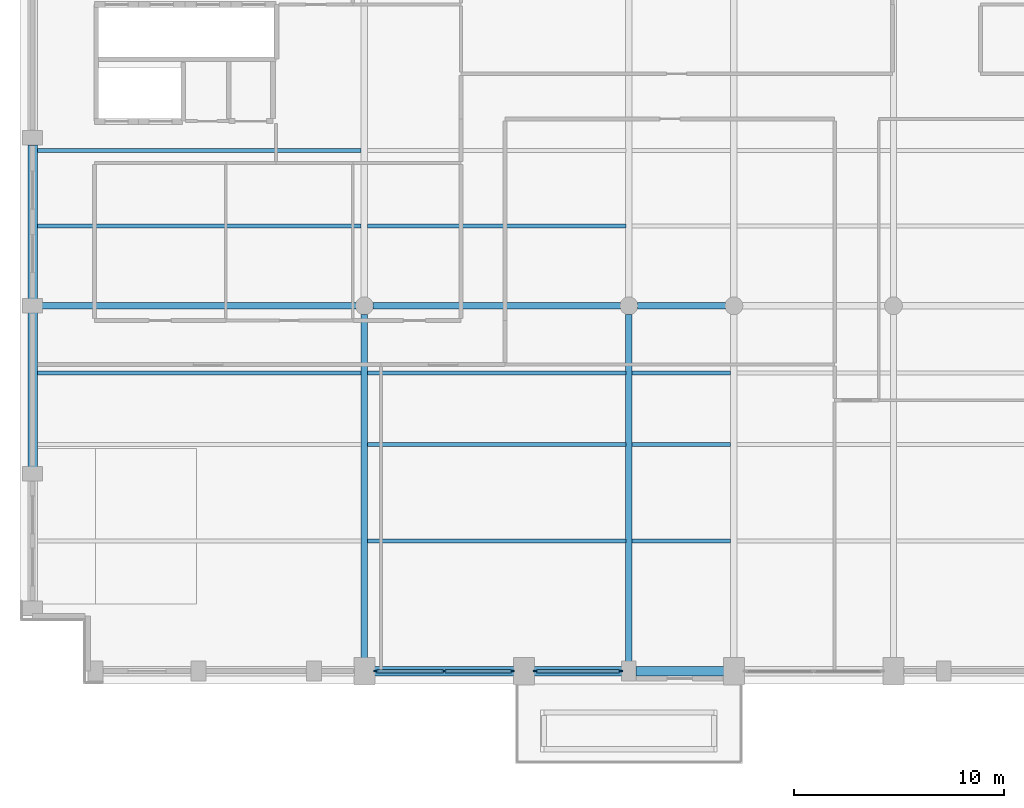
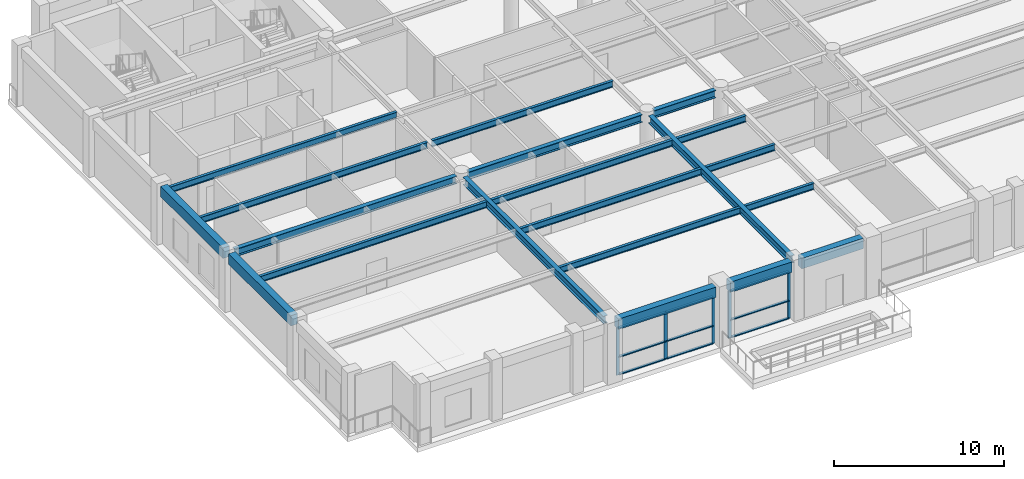
# One storey, part 2 of 13: 20 beams, 14 members, 2 elements without a shape of their own.
"""IFC4 building model written with IfcOpenShell, lengths in metres."""

from ifc_helpers import new_model, si_unit, direction, frame, origin, origin_2d, place, context, subcontext, project, spatial, rectangle, i_section, extrude, material, layer, layer_set, material_profile, profile_set, type_object, element, aggregate, save


model = new_model("IFC4")

# Units and contexts
model_context = context("Model", 3, precision=1e-05, world=origin(), true_north=direction((0.0, 1.0)))
body_context = subcontext(model_context, "Body", "Model", "MODEL_VIEW")
ifc_project = project(units=[si_unit("LENGTHUNIT", "METRE"), si_unit("AREAUNIT", "SQUARE_METRE"), si_unit("VOLUMEUNIT", "CUBIC_METRE"), si_unit("PLANEANGLEUNIT", "RADIAN"), si_unit("MASSUNIT", "GRAM", prefix="KILO")], contexts=[model_context])

# Site, building, storey
site_placement = place(None, origin())
site = spatial("IfcSite", under=ifc_project, at=site_placement, CompositionType="ELEMENT")
building_placement = place(site_placement, origin())
building = spatial("IfcBuilding", under=site, at=building_placement, Name="Sulina Concourse Tower", CompositionType="ELEMENT")
storey_placement = place(building_placement, frame((0.0, 0.0, 280.60009765625)))
storey = spatial("IfcBuildingStorey", under=building, at=storey_placement, Name="L68", CompositionType="ELEMENT", Elevation=280.60009765625)

# Beams
ifc_material_1 = material(Name="Steel S355", Category="steel")
ifc_material_profile_1 = material_profile(ifc_material_1, i_section(OverallWidth=0.18994140625, OverallDepth=0.449951171875, WebThickness=0.009521484375, FlangeThickness=0.0146484375, at=origin_2d()), Name="IPE 450")
ifc_profile_set_1 = profile_set([ifc_material_profile_1], Name="Steel S355")
beam_type_1 = type_object("IfcBeamType", Name="Composite Floor Joist IPE450", PredefinedType="JOIST", material=ifc_profile_set_1)
beam_1_placement = place(storey_placement, frame((16.550048828125, 6.800048828125, 3.9248046875), z_axis=(1.0, 0.0, 0.0), x_axis=(0.0, 1.0, 0.0)))
element("IfcBeam", 1, at=beam_1_placement, inside=storey, type_object=beam_type_1, Name="FJ-J06-2-L68", PredefinedType="JOIST", context=body_context, shape_type="SweptSolid", body=[
    extrude(i_section(OverallWidth=0.18994140625, OverallDepth=0.449951171875, WebThickness=0.009521484375, FlangeThickness=0.0146484375, at=origin_2d()), origin(), (0.0, 0.0, 1.0), 12.300048828125),
])
beam_2_placement = place(storey_placement, frame((29.14990234375, 6.800048828125, 3.9248046875), z_axis=(1.0, 0.0, 0.0), x_axis=(0.0, 1.0, 0.0)))
element("IfcBeam", 2, at=beam_2_placement, inside=storey, type_object=beam_type_1, Name="FJ-J06-3-L68", PredefinedType="JOIST", context=body_context, shape_type="SweptSolid", body=[
    extrude(i_section(OverallWidth=0.18994140625, OverallDepth=0.449951171875, WebThickness=0.009521484375, FlangeThickness=0.0146484375, at=origin_2d()), origin(), (0.0, 0.0, 1.0), 4.7001953125),
])
beam_3_placement = place(storey_placement, frame((16.550048828125, 11.39990234375, 3.9248046875), z_axis=(1.0, 0.0, 0.0), x_axis=(0.0, 1.0, 0.0)))
element("IfcBeam", 3, at=beam_3_placement, inside=storey, type_object=beam_type_1, Name="FJ-J11-2-L68", PredefinedType="JOIST", context=body_context, shape_type="SweptSolid", body=[
    extrude(i_section(OverallWidth=0.18994140625, OverallDepth=0.449951171875, WebThickness=0.009521484375, FlangeThickness=0.0146484375, at=origin_2d()), origin(), (0.0, 0.0, 1.0), 12.300048828125),
])
beam_4_placement = place(storey_placement, frame((29.14990234375, 11.39990234375, 3.9248046875), z_axis=(1.0, 0.0, 0.0), x_axis=(0.0, 1.0, 0.0)))
element("IfcBeam", 4, at=beam_4_placement, inside=storey, type_object=beam_type_1, Name="FJ-J11-3-L68", PredefinedType="JOIST", context=body_context, shape_type="SweptSolid", body=[
    extrude(i_section(OverallWidth=0.18994140625, OverallDepth=0.449951171875, WebThickness=0.009521484375, FlangeThickness=0.0146484375, at=origin_2d()), origin(), (0.0, 0.0, 1.0), 4.7001953125),
])
beam_5_placement = place(storey_placement, frame((0.824951171875, 14.800048828125, 3.9248046875), z_axis=(1.0, 0.0, 0.0), x_axis=(0.0, 1.0, 0.0)))
element("IfcBeam", 5, at=beam_5_placement, inside=storey, type_object=beam_type_1, Name="FJ-J15-1-L68", PredefinedType="JOIST", context=body_context, shape_type="SweptSolid", body=[
    extrude(i_section(OverallWidth=0.18994140625, OverallDepth=0.449951171875, WebThickness=0.009521484375, FlangeThickness=0.0146484375, at=origin_2d()), origin(), (0.0, 0.0, 1.0), 15.425048828125),
])
beam_6_placement = place(storey_placement, frame((16.550048828125, 14.800048828125, 3.9248046875), z_axis=(1.0, 0.0, 0.0), x_axis=(0.0, 1.0, 0.0)))
element("IfcBeam", 6, at=beam_6_placement, inside=storey, type_object=beam_type_1, Name="FJ-J15-2-L68", PredefinedType="JOIST", context=body_context, shape_type="SweptSolid", body=[
    extrude(i_section(OverallWidth=0.18994140625, OverallDepth=0.449951171875, WebThickness=0.009521484375, FlangeThickness=0.0146484375, at=origin_2d()), origin(), (0.0, 0.0, 1.0), 12.300048828125),
])
beam_7_placement = place(storey_placement, frame((29.14990234375, 14.800048828125, 3.9248046875), z_axis=(1.0, 0.0, 0.0), x_axis=(0.0, 1.0, 0.0)))
element("IfcBeam", 7, at=beam_7_placement, inside=storey, type_object=beam_type_1, Name="FJ-J15-3-L68", PredefinedType="JOIST", context=body_context, shape_type="SweptSolid", body=[
    extrude(i_section(OverallWidth=0.18994140625, OverallDepth=0.449951171875, WebThickness=0.009521484375, FlangeThickness=0.0146484375, at=origin_2d()), origin(), (0.0, 0.0, 1.0), 4.7001953125),
])
beam_8_placement = place(storey_placement, frame((0.824951171875, 21.800048828125, 3.9248046875), z_axis=(1.0, 0.0, 0.0), x_axis=(0.0, 1.0, 0.0)))
element("IfcBeam", 8, at=beam_8_placement, inside=storey, type_object=beam_type_1, Name="FJ-J22-1-L68", PredefinedType="JOIST", context=body_context, shape_type="SweptSolid", body=[
    extrude(i_section(OverallWidth=0.18994140625, OverallDepth=0.449951171875, WebThickness=0.009521484375, FlangeThickness=0.0146484375, at=origin_2d()), origin(), (0.0, 0.0, 1.0), 15.425048828125),
])
beam_9_placement = place(storey_placement, frame((16.550048828125, 21.800048828125, 3.9248046875), z_axis=(1.0, 0.0, 0.0), x_axis=(0.0, 1.0, 0.0)))
element("IfcBeam", 9, at=beam_9_placement, inside=storey, type_object=beam_type_1, Name="FJ-J22-2-L68", PredefinedType="JOIST", context=body_context, shape_type="SweptSolid", body=[
    extrude(i_section(OverallWidth=0.18994140625, OverallDepth=0.449951171875, WebThickness=0.009521484375, FlangeThickness=0.0146484375, at=origin_2d()), origin(), (0.0, 0.0, 1.0), 12.300048828125),
])
beam_10_placement = place(storey_placement, frame((0.824951171875, 25.39990234375, 3.9248046875), z_axis=(1.0, 0.0, 0.0), x_axis=(0.0, 1.0, 0.0)))
element("IfcBeam", 10, at=beam_10_placement, inside=storey, type_object=beam_type_1, Name="FJ-J25-1-L68", PredefinedType="JOIST", context=body_context, shape_type="SweptSolid", body=[
    extrude(i_section(OverallWidth=0.18994140625, OverallDepth=0.449951171875, WebThickness=0.009521484375, FlangeThickness=0.0146484375, at=origin_2d()), origin(), (0.0, 0.0, 1.0), 15.425048828125),
])
ifc_material_2 = material(Name="Steel S355", Category="steel")
ifc_material_profile_2 = material_profile(ifc_material_2, i_section(OverallWidth=0.300048828125, OverallDepth=0.550048828125, WebThickness=0.014892578125, FlangeThickness=0.029052734375, at=origin_2d()), Name="HE 550 B")
ifc_profile_set_2 = profile_set([ifc_material_profile_2], Name="Steel S355")
beam_type_2 = type_object("IfcBeamType", Name="Floor Primary Girder Zone 4 HE550B", PredefinedType="BEAM", material=ifc_profile_set_2)
beam_11_placement = place(storey_placement, frame((0.929931640625, 18.0, 3.875), z_axis=(1.0, 0.0, 0.0), x_axis=(0.0, 1.0, 0.0)))
element("IfcBeam", 11, at=beam_11_placement, inside=storey, type_object=beam_type_2, Name="FG-EW1-L68", PredefinedType="BEAM", context=body_context, shape_type="SweptSolid", body=[
    extrude(i_section(OverallWidth=0.300048828125, OverallDepth=0.550048828125, WebThickness=0.014892578125, FlangeThickness=0.029052734375, at=origin_2d()), origin(), (0.0, 0.0, 1.0), 15.065185546875),
])
beam_12_placement = place(storey_placement, frame((16.804931640625, 18.0, 3.875), z_axis=(1.0, 0.0, 0.0), x_axis=(0.0, 1.0, 0.0)))
element("IfcBeam", 12, at=beam_12_placement, inside=storey, type_object=beam_type_2, Name="FG-EW2-L68", PredefinedType="BEAM", context=body_context, shape_type="SweptSolid", body=[
    extrude(i_section(OverallWidth=0.300048828125, OverallDepth=0.550048828125, WebThickness=0.014892578125, FlangeThickness=0.029052734375, at=origin_2d()), origin(), (0.0, 0.0, 1.0), 11.7900390625),
])
beam_13_placement = place(storey_placement, frame((29.405029296875, 18.0, 3.875), z_axis=(1.0, 0.0, 0.0), x_axis=(0.0, 1.0, 0.0)))
element("IfcBeam", 13, at=beam_13_placement, inside=storey, type_object=beam_type_2, Name="FG-EW3-L68", PredefinedType="BEAM", context=body_context, shape_type="SweptSolid", body=[
    extrude(i_section(OverallWidth=0.300048828125, OverallDepth=0.550048828125, WebThickness=0.014892578125, FlangeThickness=0.029052734375, at=origin_2d()), origin(), (0.0, 0.0, 1.0), 4.18994140625),
])
beam_14_placement = place(storey_placement, frame((16.39990234375, 1.080078125, 3.875), z_axis=(0.0, 1.0, 0.0), x_axis=(-1.0, 0.0, 0.0)))
element("IfcBeam", 14, at=beam_14_placement, inside=storey, type_object=beam_type_2, Name="FG-NSA-16-L68", PredefinedType="BEAM", context=body_context, shape_type="SweptSolid", body=[
    extrude(i_section(OverallWidth=0.300048828125, OverallDepth=0.550048828125, WebThickness=0.014892578125, FlangeThickness=0.029052734375, at=origin_2d()), origin(), (0.0, 0.0, 1.0), 16.514892578125),
])
beam_15_placement = place(storey_placement, frame((29.0, 0.929931640625, 3.875), z_axis=(0.0, 1.0, 0.0), x_axis=(-1.0, 0.0, 0.0)))
element("IfcBeam", 15, at=beam_15_placement, inside=storey, type_object=beam_type_2, Name="FG-NSA-29-L68", PredefinedType="BEAM", context=body_context, shape_type="SweptSolid", body=[
    extrude(i_section(OverallWidth=0.300048828125, OverallDepth=0.550048828125, WebThickness=0.014892578125, FlangeThickness=0.029052734375, at=origin_2d()), origin(), (0.0, 0.0, 1.0), 16.6650390625),
])

# Curtain wall, members
ifc_material_3 = material(Name="Aluminium 6063-T6", Category="aluminium")
ifc_layer = layer(ifc_material_3, 0.22998046875)
ifc_layer_set = layer_set([ifc_layer], Name="Aluminium 6063-T6")
curtain_wall_type = type_object("IfcCurtainWallType", Name="Sky-Pool Wellness Lounge Curtain Wall System", PredefinedType="NOTDEFINED", material=ifc_layer_set)
curtain_wall_1_placement = place(storey_placement, origin())
curtain_wall_1 = element("IfcCurtainWall", 16, at=curtain_wall_1_placement, inside=storey, type_object=curtain_wall_type, Name="L68 glazed curtain wall S4", PredefinedType="NOTDEFINED")
ifc_material_4 = material(Name="Aluminium 6063-T6", Category="aluminium")
ifc_material_profile_3 = material_profile(ifc_material_4, rectangle(XDim=0.068115234375, YDim=0.2099609375, at=origin_2d()), Name="MUL 68x210")
ifc_profile_set_3 = profile_set([ifc_material_profile_3], Name="Aluminium 6063-T6")
member_type_1 = type_object("IfcMemberType", Name="Sky-Pool Wellness Lounge Curtain Wall System Mullion 68x210", PredefinedType="MULLION", material=ifc_profile_set_3)
member_1_placement = place(storey_placement, frame((23.446044921875, 0.60009765625, 0.0), z_axis=(0.0, 0.0, 1.0), x_axis=(0.0, -1.0, 0.0)))
member_1 = element("IfcMember", 17, at=member_1_placement, type_object=member_type_1, Name="CW-05 mullion 1", PredefinedType="MULLION", context=body_context, shape_type="SweptSolid", body=[
    extrude(rectangle(XDim=0.068115234375, YDim=0.2099609375, at=origin_2d()), origin(), (0.0, 0.0, 1.0), 3.39990234375),
])
member_2_placement = place(storey_placement, frame((20.199951171875, 0.60009765625, 0.0), z_axis=(0.0, 0.0, 1.0), x_axis=(0.0, -1.0, 0.0)))
member_2 = element("IfcMember", 18, at=member_2_placement, type_object=member_type_1, Name="CW-05 mullion 2", PredefinedType="MULLION", context=body_context, shape_type="SweptSolid", body=[
    extrude(rectangle(XDim=0.068115234375, YDim=0.2099609375, at=origin_2d()), origin(), (0.0, 0.0, 1.0), 3.39990234375),
])
member_3_placement = place(storey_placement, frame((16.9541015625, 0.60009765625, 0.0), z_axis=(0.0, 0.0, 1.0), x_axis=(0.0, -1.0, 0.0)))
member_3 = element("IfcMember", 19, at=member_3_placement, type_object=member_type_1, Name="CW-05 mullion 3", PredefinedType="MULLION", context=body_context, shape_type="SweptSolid", body=[
    extrude(rectangle(XDim=0.068115234375, YDim=0.2099609375, at=origin_2d()), origin(), (0.0, 0.0, 1.0), 3.39990234375),
])

curtain_wall_2_placement = place(storey_placement, origin())
curtain_wall_2 = element("IfcCurtainWall", 20, at=curtain_wall_2_placement, inside=storey, type_object=curtain_wall_type, Name="L68 glazed curtain wall S5", PredefinedType="NOTDEFINED")
member_4_placement = place(storey_placement, frame((28.595947265625, 0.60009765625, 0.0), z_axis=(0.0, 0.0, 1.0), x_axis=(0.0, -1.0, 0.0)))
member_4 = element("IfcMember", 21, at=member_4_placement, type_object=member_type_1, Name="CW-05 mullion 1", PredefinedType="MULLION", context=body_context, shape_type="SweptSolid", body=[
    extrude(rectangle(XDim=0.068115234375, YDim=0.2099609375, at=origin_2d()), origin(), (0.0, 0.0, 1.0), 3.39990234375),
])
member_5_placement = place(storey_placement, frame((24.553955078125, 0.60009765625, 0.0), z_axis=(0.0, 0.0, 1.0), x_axis=(0.0, -1.0, 0.0)))
member_5 = element("IfcMember", 22, at=member_5_placement, type_object=member_type_1, Name="CW-05 mullion 2", PredefinedType="MULLION", context=body_context, shape_type="SweptSolid", body=[
    extrude(rectangle(XDim=0.068115234375, YDim=0.2099609375, at=origin_2d()), origin(), (0.0, 0.0, 1.0), 3.39990234375),
])

# Member
ifc_material_5 = material(Name="Aluminium 6063-T6", Category="aluminium")
ifc_material_profile_4 = material_profile(ifc_material_5, rectangle(XDim=0.169921875, YDim=0.068115234375, at=origin_2d()), Name="TRN 68x170")
ifc_profile_set_4 = profile_set([ifc_material_profile_4], Name="Aluminium 6063-T6")
member_type_2 = type_object("IfcMemberType", Name="Sky-Pool Wellness Lounge Curtain Wall System Transom 68x170", PredefinedType="USERDEFINED", material=ifc_profile_set_4)
member_6_placement = place(storey_placement, frame((23.412109375, 0.60009765625, 0.033935546875), z_axis=(-1.0, 0.0, 0.0), x_axis=(0.0, -1.0, 0.0)))
member_6 = element("IfcMember", 23, at=member_6_placement, type_object=member_type_2, Name="CW-05 transom 1.1", ObjectType="TRANSOM", PredefinedType="USERDEFINED", context=body_context, shape_type="SweptSolid", body=[
    extrude(rectangle(XDim=0.169921875, YDim=0.068115234375, at=origin_2d()), origin(), (0.0, 0.0, 1.0), 3.17822265625),
])

member_7_placement = place(storey_placement, frame((23.412109375, 0.60009765625, 1.2919921875), z_axis=(-1.0, 0.0, 0.0), x_axis=(0.0, -1.0, 0.0)))
member_7 = element("IfcMember", 24, at=member_7_placement, type_object=member_type_2, Name="CW-05 transom 1.2", ObjectType="TRANSOM", PredefinedType="USERDEFINED", context=body_context, shape_type="SweptSolid", body=[
    extrude(rectangle(XDim=0.169921875, YDim=0.068115234375, at=origin_2d()), origin(), (0.0, 0.0, 1.0), 3.17822265625),
])

member_8_placement = place(storey_placement, frame((23.412109375, 0.60009765625, 3.365966796875), z_axis=(-1.0, 0.0, 0.0), x_axis=(0.0, -1.0, 0.0)))
member_8 = element("IfcMember", 25, at=member_8_placement, type_object=member_type_2, Name="CW-05 transom 1.3", ObjectType="TRANSOM", PredefinedType="USERDEFINED", context=body_context, shape_type="SweptSolid", body=[
    extrude(rectangle(XDim=0.169921875, YDim=0.068115234375, at=origin_2d()), origin(), (0.0, 0.0, 1.0), 3.17822265625),
])

member_9_placement = place(storey_placement, frame((20.166015625, 0.60009765625, 0.033935546875), z_axis=(-1.0, 0.0, 0.0), x_axis=(0.0, -1.0, 0.0)))
member_9 = element("IfcMember", 26, at=member_9_placement, type_object=member_type_2, Name="CW-05 transom 2.1", ObjectType="TRANSOM", PredefinedType="USERDEFINED", context=body_context, shape_type="SweptSolid", body=[
    extrude(rectangle(XDim=0.169921875, YDim=0.068115234375, at=origin_2d()), origin(), (0.0, 0.0, 1.0), 3.177978515625),
])

member_10_placement = place(storey_placement, frame((20.166015625, 0.60009765625, 1.2919921875), z_axis=(-1.0, 0.0, 0.0), x_axis=(0.0, -1.0, 0.0)))
member_10 = element("IfcMember", 27, at=member_10_placement, type_object=member_type_2, Name="CW-05 transom 2.2", ObjectType="TRANSOM", PredefinedType="USERDEFINED", context=body_context, shape_type="SweptSolid", body=[
    extrude(rectangle(XDim=0.169921875, YDim=0.068115234375, at=origin_2d()), origin(), (0.0, 0.0, 1.0), 3.177978515625),
])

member_11_placement = place(storey_placement, frame((20.166015625, 0.60009765625, 3.365966796875), z_axis=(-1.0, 0.0, 0.0), x_axis=(0.0, -1.0, 0.0)))
member_11 = element("IfcMember", 28, at=member_11_placement, type_object=member_type_2, Name="CW-05 transom 2.3", ObjectType="TRANSOM", PredefinedType="USERDEFINED", context=body_context, shape_type="SweptSolid", body=[
    extrude(rectangle(XDim=0.169921875, YDim=0.068115234375, at=origin_2d()), origin(), (0.0, 0.0, 1.0), 3.177978515625),
])

aggregate(curtain_wall_1, [member_1, member_2, member_3, member_6, member_7, member_8, member_9, member_10, member_11])

member_12_placement = place(storey_placement, frame((28.56201171875, 0.60009765625, 0.033935546875), z_axis=(-1.0, 0.0, 0.0), x_axis=(0.0, -1.0, 0.0)))
member_12 = element("IfcMember", 29, at=member_12_placement, type_object=member_type_2, Name="CW-05 transom 1.1", ObjectType="TRANSOM", PredefinedType="USERDEFINED", context=body_context, shape_type="SweptSolid", body=[
    extrude(rectangle(XDim=0.169921875, YDim=0.068115234375, at=origin_2d()), origin(), (0.0, 0.0, 1.0), 3.97412109375),
])

member_13_placement = place(storey_placement, frame((28.56201171875, 0.60009765625, 1.2919921875), z_axis=(-1.0, 0.0, 0.0), x_axis=(0.0, -1.0, 0.0)))
member_13 = element("IfcMember", 30, at=member_13_placement, type_object=member_type_2, Name="CW-05 transom 1.2", ObjectType="TRANSOM", PredefinedType="USERDEFINED", context=body_context, shape_type="SweptSolid", body=[
    extrude(rectangle(XDim=0.169921875, YDim=0.068115234375, at=origin_2d()), origin(), (0.0, 0.0, 1.0), 3.97412109375),
])

member_14_placement = place(storey_placement, frame((28.56201171875, 0.60009765625, 3.365966796875), z_axis=(-1.0, 0.0, 0.0), x_axis=(0.0, -1.0, 0.0)))
member_14 = element("IfcMember", 31, at=member_14_placement, type_object=member_type_2, Name="CW-05 transom 1.3", ObjectType="TRANSOM", PredefinedType="USERDEFINED", context=body_context, shape_type="SweptSolid", body=[
    extrude(rectangle(XDim=0.169921875, YDim=0.068115234375, at=origin_2d()), origin(), (0.0, 0.0, 1.0), 3.97412109375),
])

aggregate(curtain_wall_2, [member_4, member_5, member_12, member_13, member_14])

# Beams
ifc_material_6 = material(Name="Precast concrete C50/60", Category="concrete")
ifc_material_profile_5 = material_profile(ifc_material_6, rectangle(XDim=0.449951171875, YDim=0.75, at=origin_2d()), Name="RC 450x750")
ifc_profile_set_5 = profile_set([ifc_material_profile_5], Name="Precast concrete C50/60")
beam_type_3 = type_object("IfcBeamType", Name="Upper Precast Spandrel Edge Beam 450x750", PredefinedType="BEAM", material=ifc_profile_set_5)
beam_16_placement = place(storey_placement, frame((16.8798828125, 0.60009765625, 3.77490234375), z_axis=(1.0, 0.0, 0.0), x_axis=(0.0, 1.0, 0.0)))
element("IfcBeam", 32, at=beam_16_placement, inside=storey, type_object=beam_type_3, Name="SP-S4-L68", PredefinedType="BEAM", context=body_context, shape_type="SweptSolid", body=[
    extrude(rectangle(XDim=0.449951171875, YDim=0.75, at=origin_2d()), origin(), (0.0, 0.0, 1.0), 6.64013671875),
])
for number, where, z_axis, x_axis, name in (
    (33, (24.47998046875, 0.60009765625, 3.77490234375), (1.0, 0.0, 0.0), (0.0, 1.0, 0.0), "SP-S5-L68"),
    (34, (29.330078125, 0.60009765625, 3.77490234375), (1.0, 0.0, 0.0), (0.0, 1.0, 0.0), "SP-S6-L68"),
):
    element("IfcBeam", number, at=place(storey_placement, frame(where, z_axis=z_axis, x_axis=x_axis)), inside=storey, type_object=beam_type_3, Name=name, PredefinedType="BEAM", context=body_context, shape_type="SweptSolid", body=[
        extrude(rectangle(XDim=0.449951171875, YDim=0.75, at=origin_2d()), origin(), (0.0, 0.0, 1.0), 4.18994140625),
    ])
for number, where, z_axis, x_axis, name in (
    (35, (0.60009765625, 10.330078125, 3.77490234375), (0.0, 1.0, 0.0), (-1.0, 0.0, 0.0), "SP-W2-L68"),
    (36, (0.60009765625, 18.330078125, 3.77490234375), (0.0, 1.0, 0.0), (-1.0, 0.0, 0.0), "SP-W3-L68"),
):
    element("IfcBeam", number, at=place(storey_placement, frame(where, z_axis=z_axis, x_axis=x_axis)), inside=storey, type_object=beam_type_3, Name=name, PredefinedType="BEAM", context=body_context, shape_type="SweptSolid", body=[
        extrude(rectangle(XDim=0.449951171875, YDim=0.75, at=origin_2d()), origin(), (0.0, 0.0, 1.0), 7.33984375),
    ])

save(model, "model.ifc")
